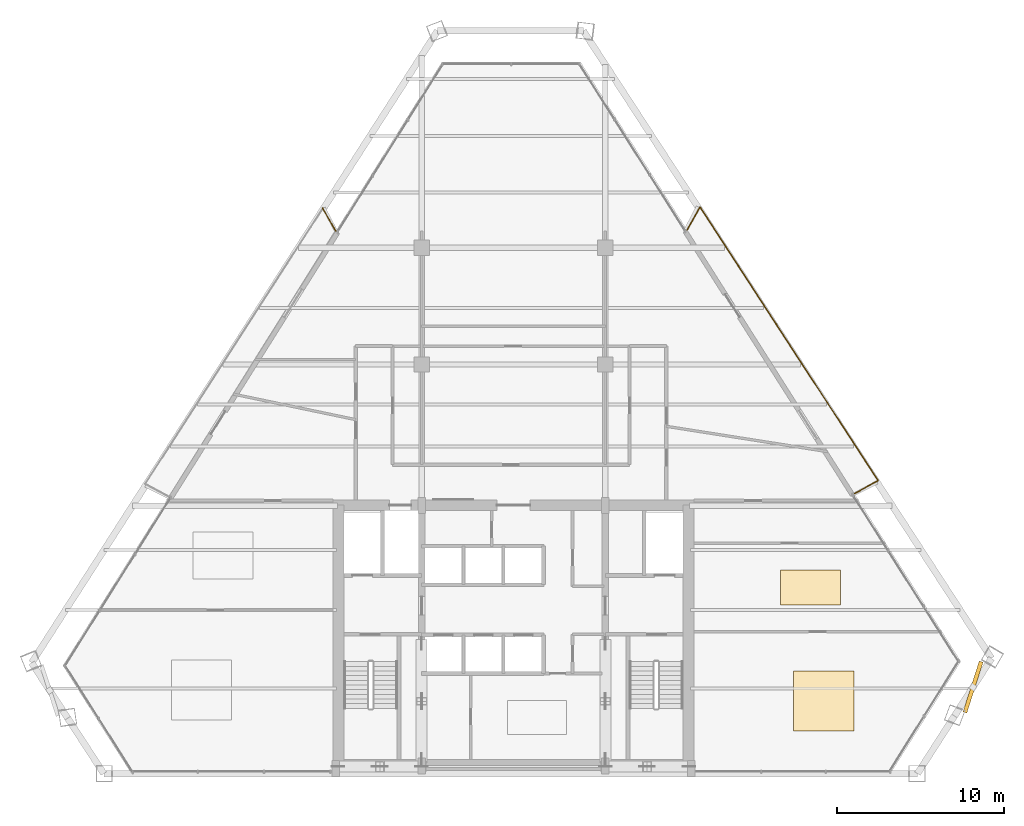
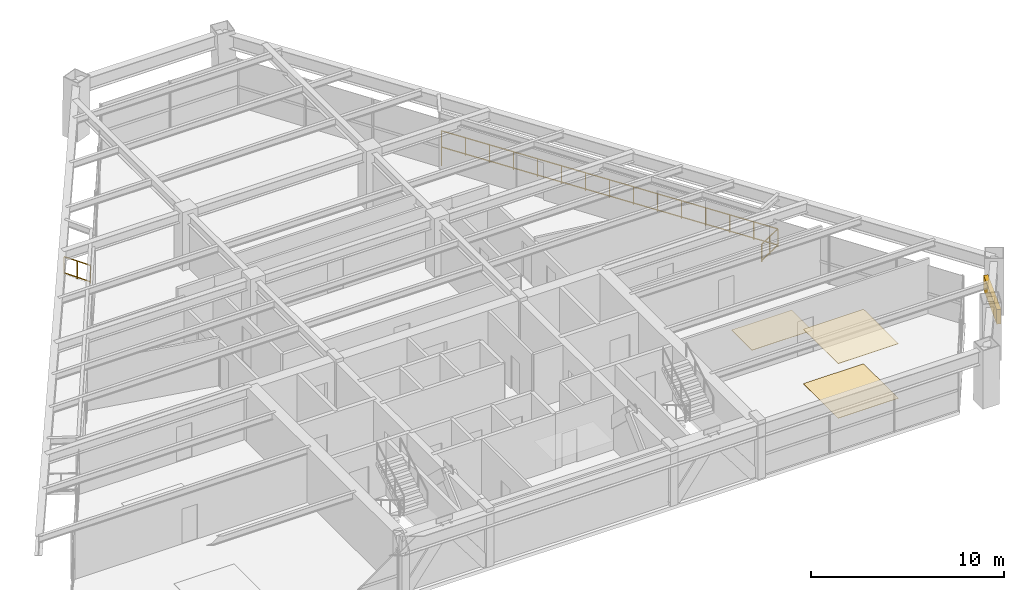
# One storey, part 15 of 15: 4 railings, 3 coverings, 1 shading device.
"""IFC4 building model written with IfcOpenShell, lengths in metres."""

from ifc_helpers import new_model, si_unit, direction, frame, origin, origin_2d, place, context, subcontext, project, spatial, rectangle, extrude, source, transform, mapped, material, layer, layer_set, type_object, type_shapes, element, save


model = new_model("IFC4")

# Units and contexts
model_context = context("Model", 3, precision=1e-05, world=origin(), true_north=direction((0.0, 1.0)))
body_context = subcontext(model_context, "Body", "Model", "MODEL_VIEW")
ifc_project = project(units=[si_unit("LENGTHUNIT", "METRE"), si_unit("AREAUNIT", "SQUARE_METRE"), si_unit("VOLUMEUNIT", "CUBIC_METRE"), si_unit("PLANEANGLEUNIT", "RADIAN"), si_unit("MASSUNIT", "GRAM", prefix="KILO")], contexts=[model_context])

# Site, building, storey
site_placement = place(None, origin())
site = spatial("IfcSite", under=ifc_project, at=site_placement, CompositionType="ELEMENT")
building_placement = place(site_placement, origin())
building = spatial("IfcBuilding", under=site, at=building_placement, Name="Varnakhor Terracotta Tower", CompositionType="ELEMENT")
storey_placement = place(building_placement, frame((0.0, 0.0, 174.699951171875)))
storey = spatial("IfcBuildingStorey", under=building, at=storey_placement, Name="L44", CompositionType="ELEMENT", Elevation=174.699951171875)

# Railings
ifc_material_1 = material(Name="Stainless Steel & Laminated Glass Guardrail", Category="steel")
railing_type = type_object("IfcRailingType", Name="RLG-LOGGIA-GUARD-1150", PredefinedType="GUARDRAIL", material=ifc_material_1)
railing_1_placement = place(storey_placement, frame((10.398681640625, 32.558837890625, 0.0)))
element("IfcRailing", 1, at=railing_1_placement, inside=storey, type_object=railing_type, Name="L44 E Loggia Glass Guard 1", PredefinedType="GUARDRAIL", context=body_context, shape_type="SweptSolid", body=[
    extrude(rectangle(XDim=0.048095703125, YDim=0.048095703125, at=origin_2d()), frame((0.0, 0.0, 1.1259765625), z_axis=(0.491167230539, 0.871065297004, 0.0), x_axis=(-0.871065297004, 0.491167230539, 0.0)), (0.0, 0.0, 1.0), 1.5732421875),
    extrude(rectangle(XDim=0.048095703125, YDim=0.048095703125, at=origin_2d()), frame((0.0, 0.0, 0.10009765625), z_axis=(0.491167230539, 0.871065297004, 0.0), x_axis=(-0.871065297004, 0.491167230539, 0.0)), (0.0, 0.0, 1.0), 1.5732421875),
    extrude(rectangle(XDim=0.0419921875, YDim=0.0419921875, at=origin_2d()), origin(), (0.0, 0.0, 1.0), 1.101806640625),
    extrude(rectangle(XDim=0.0419921875, YDim=0.0419921875, at=origin_2d()), frame((0.38623046875, 0.68505859375, 0.0)), (0.0, 0.0, 1.0), 1.101806640625),
    extrude(rectangle(XDim=0.0419921875, YDim=0.0419921875, at=origin_2d()), frame((0.772705078125, 1.370361328125, 0.0)), (0.0, 0.0, 1.0), 1.101806640625),
])
railing_2_placement = place(storey_placement, frame((11.17138671875, 33.92919921875, 0.0)))
element("IfcRailing", 2, at=railing_2_placement, inside=storey, type_object=railing_type, Name="L44 E Loggia Glass Guard 2", PredefinedType="GUARDRAIL", context=body_context, shape_type="SweptSolid", body=[
    extrude(rectangle(XDim=0.048095703125, YDim=0.048095703125, at=origin_2d()), frame((0.0, 0.0, 1.1259765625), z_axis=(0.545432624671, -0.838154670657, 0.0), x_axis=(0.838154670657, 0.545432624671, 0.0)), (0.0, 0.0, 1.0), 19.5439453125),
    extrude(rectangle(XDim=0.048095703125, YDim=0.048095703125, at=origin_2d()), frame((0.0, 0.0, 0.10009765625), z_axis=(0.545432624671, -0.838154670657, 0.0), x_axis=(0.838154670657, 0.545432624671, 0.0)), (0.0, 0.0, 1.0), 19.5439453125),
    extrude(rectangle(XDim=0.0419921875, YDim=0.0419921875, at=origin_2d()), origin(), (0.0, 0.0, 1.0), 1.101806640625),
    extrude(rectangle(XDim=0.0419921875, YDim=0.0419921875, at=origin_2d()), frame((0.761474609375, -1.170166015625, 0.0)), (0.0, 0.0, 1.0), 1.101806640625),
    extrude(rectangle(XDim=0.0419921875, YDim=0.0419921875, at=origin_2d()), frame((1.52294921875, -2.340087890625, 0.0)), (0.0, 0.0, 1.0), 1.101806640625),
    extrude(rectangle(XDim=0.0419921875, YDim=0.0419921875, at=origin_2d()), frame((2.2841796875, -3.51025390625, 0.0)), (0.0, 0.0, 1.0), 1.101806640625),
    extrude(rectangle(XDim=0.0419921875, YDim=0.0419921875, at=origin_2d()), frame((3.045654296875, -4.68017578125, 0.0)), (0.0, 0.0, 1.0), 1.101806640625),
    extrude(rectangle(XDim=0.0419921875, YDim=0.0419921875, at=origin_2d()), frame((3.80712890625, -5.850341796875, 0.0)), (0.0, 0.0, 1.0), 1.101806640625),
    extrude(rectangle(XDim=0.0419921875, YDim=0.0419921875, at=origin_2d()), frame((4.568603515625, -7.020263671875, 0.0)), (0.0, 0.0, 1.0), 1.101806640625),
    extrude(rectangle(XDim=0.0419921875, YDim=0.0419921875, at=origin_2d()), frame((5.330078125, -8.1904296875, 0.0)), (0.0, 0.0, 1.0), 1.101806640625),
    extrude(rectangle(XDim=0.0419921875, YDim=0.0419921875, at=origin_2d()), frame((6.09130859375, -9.360595703125, 0.0)), (0.0, 0.0, 1.0), 1.101806640625),
    extrude(rectangle(XDim=0.0419921875, YDim=0.0419921875, at=origin_2d()), frame((6.852783203125, -10.530517578125, 0.0)), (0.0, 0.0, 1.0), 1.101806640625),
    extrude(rectangle(XDim=0.0419921875, YDim=0.0419921875, at=origin_2d()), frame((7.6142578125, -11.70068359375, 0.0)), (0.0, 0.0, 1.0), 1.101806640625),
    extrude(rectangle(XDim=0.0419921875, YDim=0.0419921875, at=origin_2d()), frame((8.375732421875, -12.87060546875, 0.0)), (0.0, 0.0, 1.0), 1.101806640625),
    extrude(rectangle(XDim=0.0419921875, YDim=0.0419921875, at=origin_2d()), frame((9.136962890625, -14.040771484375, 0.0)), (0.0, 0.0, 1.0), 1.101806640625),
    extrude(rectangle(XDim=0.0419921875, YDim=0.0419921875, at=origin_2d()), frame((9.8984375, -15.210693359375, 0.0)), (0.0, 0.0, 1.0), 1.101806640625),
    extrude(rectangle(XDim=0.0419921875, YDim=0.0419921875, at=origin_2d()), frame((10.659912109375, -16.380859375, 0.0)), (0.0, 0.0, 1.0), 1.101806640625),
])
railing_3_placement = place(storey_placement, frame((21.831298828125, 17.54833984375, 0.0)))
element("IfcRailing", 3, at=railing_3_placement, inside=storey, type_object=railing_type, Name="L44 E Loggia Glass Guard 3", PredefinedType="GUARDRAIL", context=body_context, shape_type="SweptSolid", body=[
    extrude(rectangle(XDim=0.048095703125, YDim=0.048095703125, at=origin_2d()), frame((0.0, 0.0, 1.1259765625), z_axis=(-0.875480630111, -0.483253211371, 0.0), x_axis=(0.483253211371, -0.875480630111, 0.0)), (0.0, 0.0, 1.0), 1.61474609375),
    extrude(rectangle(XDim=0.048095703125, YDim=0.048095703125, at=origin_2d()), frame((0.0, 0.0, 0.10009765625), z_axis=(-0.875480630111, -0.483253211371, 0.0), x_axis=(0.483253211371, -0.875480630111, 0.0)), (0.0, 0.0, 1.0), 1.61474609375),
    extrude(rectangle(XDim=0.0419921875, YDim=0.0419921875, at=origin_2d()), origin(), (0.0, 0.0, 1.0), 1.101806640625),
    extrude(rectangle(XDim=0.0419921875, YDim=0.0419921875, at=origin_2d()), frame((-0.706787109375, -0.39013671875, 0.0)), (0.0, 0.0, 1.0), 1.101806640625),
    extrude(rectangle(XDim=0.0419921875, YDim=0.0419921875, at=origin_2d()), frame((-1.41357421875, -0.7802734375, 0.0)), (0.0, 0.0, 1.0), 1.101806640625),
])
railing_4_placement = place(storey_placement, frame((-11.427001953125, 33.8564453125, 0.0)))
element("IfcRailing", 4, at=railing_4_placement, inside=storey, type_object=railing_type, Name="L44 W Loggia Glass Guard 3", PredefinedType="GUARDRAIL", context=body_context, shape_type="SweptSolid", body=[
    extrude(rectangle(XDim=0.048095703125, YDim=0.048095703125, at=origin_2d()), frame((0.0, 0.0, 1.1259765625), z_axis=(0.49361186761, -0.8696823122, 0.0), x_axis=(0.8696823122, 0.49361186761, 0.0)), (0.0, 0.0, 1.0), 1.572265625),
    extrude(rectangle(XDim=0.048095703125, YDim=0.048095703125, at=origin_2d()), frame((0.0, 0.0, 0.10009765625), z_axis=(0.49361186761, -0.8696823122, 0.0), x_axis=(0.8696823122, 0.49361186761, 0.0)), (0.0, 0.0, 1.0), 1.572265625),
    extrude(rectangle(XDim=0.0419921875, YDim=0.0419921875, at=origin_2d()), origin(), (0.0, 0.0, 1.0), 1.101806640625),
    extrude(rectangle(XDim=0.0419921875, YDim=0.0419921875, at=origin_2d()), frame((0.38818359375, -0.68359375, 0.0)), (0.0, 0.0, 1.0), 1.101806640625),
    extrude(rectangle(XDim=0.0419921875, YDim=0.0419921875, at=origin_2d()), frame((0.776123046875, -1.367431640625, 0.0)), (0.0, 0.0, 1.0), 1.101806640625),
])

# Shading device
ifc_material_2 = material(Name="Extruded Architectural Terracotta Screen", Category="masonry")
shading_device_type = type_object("IfcShadingDeviceType", Name="TERRACOTTA SOLAR SCREEN E", PredefinedType="USERDEFINED", material=ifc_material_2)
shared_shape_1 = source(origin(), body_context, "Body", "SweptSolid", [
    extrude(rectangle(XDim=3.199951171875, YDim=0.239990234375, at=origin_2d()), origin(), (0.0, 0.0, 1.0), 0.919921875),
])
type_shapes(shading_device_type, [shared_shape_1])
shading_device_placement = place(storey_placement, frame((27.520751953125, 5.177734375, 1.710205078125), z_axis=(0.0, 0.0, 1.0), x_axis=(0.30423257921, 0.952597783824, 0.0)))
element("IfcShadingDevice", 5, at=shading_device_placement, inside=storey, type_object=shading_device_type, Name="L44 E Terracotta Solar Screen", ObjectType="SCREEN", PredefinedType="USERDEFINED", context=body_context, shape_type="MappedRepresentation", body=[
    mapped(shared_shape_1, transform((0.0, 0.0, 0.0), scale=1.0)),
])

# Coverings
ifc_material_3 = material(Name="Honed Riyadh Limestone Flooring", Category="masonry")
ifc_layer_1 = layer(ifc_material_3, 0.030029296875, Name="Honed Riyadh Limestone Flooring")
ifc_layer_set_1 = layer_set([ifc_layer_1], Name="Honed Riyadh Limestone Flooring")
covering_type_1 = type_object("IfcCoveringType", Name="COV-FLOOR-LIMESTONE", PredefinedType="FLOORING", material=ifc_layer_set_1)
shared_shape_2 = source(origin(), body_context, "Body", "SweptSolid", [
    extrude(rectangle(XDim=3.60009765625, YDim=3.60009765625, at=origin_2d()), origin(), (0.0, 0.0, 1.0), 0.02001953125),
])
covering_1_placement = place(storey_placement, frame((18.58203125, 4.35205078125, 0.0), z_axis=(0.0, 0.0, 1.0), x_axis=(1.0, 0.0, 0.0)))
element("IfcCovering", 6, at=covering_1_placement, inside=storey, type_object=covering_type_1, Name="L44 Honed Stone Flooring 2", PredefinedType="FLOORING", context=body_context, shape_type="MappedRepresentation", body=[
    mapped(shared_shape_2, transform((0.0, 0.0, 0.0), scale=1.0)),
])
ifc_material_4 = material(Name="Perforated Acoustic Mineral-Fibre Ceiling", Category="gypsum")
ifc_layer_2 = layer(ifc_material_4, 0.02490234375, Name="Perforated Acoustic Mineral-Fibre Ceiling")
ifc_layer_set_2 = layer_set([ifc_layer_2], Name="Perforated Acoustic Mineral-Fibre Ceiling")
covering_type_2 = type_object("IfcCoveringType", Name="COV-CEILING-ACOUSTIC", PredefinedType="CEILING", material=ifc_layer_set_2)
shared_shape_3 = source(origin(), body_context, "Body", "SweptSolid", [
    extrude(rectangle(XDim=3.60009765625, YDim=3.60009765625, at=origin_2d()), origin(), (0.0, 0.0, 1.0), 0.02392578125),
])
covering_2_placement = place(storey_placement, frame((18.58203125, 4.35205078125, 3.446044921875), z_axis=(0.0, 0.0, 1.0), x_axis=(1.0, 0.0, 0.0)))
element("IfcCovering", 7, at=covering_2_placement, inside=storey, type_object=covering_type_2, Name="L44 Acoustic Ceiling Panel 2", PredefinedType="CEILING", context=body_context, shape_type="MappedRepresentation", body=[
    mapped(shared_shape_3, transform((0.0, 0.0, 0.0), scale=1.0)),
])
shared_shape_4 = source(origin(), body_context, "Body", "SweptSolid", [
    extrude(rectangle(XDim=3.60009765625, YDim=2.115966796875, at=origin_2d()), origin(), (0.0, 0.0, 1.0), 0.02001953125),
])
covering_3_placement = place(storey_placement, frame((17.785888671875, 11.14990234375, 0.0), z_axis=(0.0, 0.0, 1.0), x_axis=(1.0, 0.0, 0.0)))
element("IfcCovering", 8, at=covering_3_placement, inside=storey, type_object=covering_type_1, Name="L44 Honed Stone Flooring 4", PredefinedType="FLOORING", context=body_context, shape_type="MappedRepresentation", body=[
    mapped(shared_shape_4, transform((0.0, 0.0, 0.0), scale=1.0)),
])

save(model, "model.ifc")
